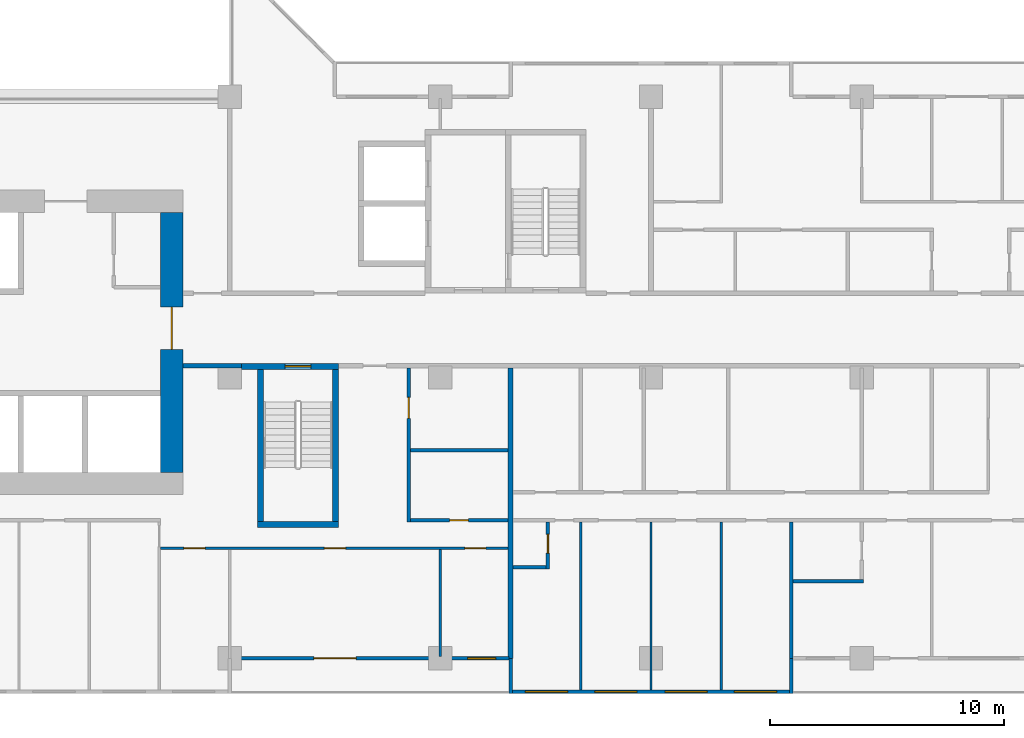
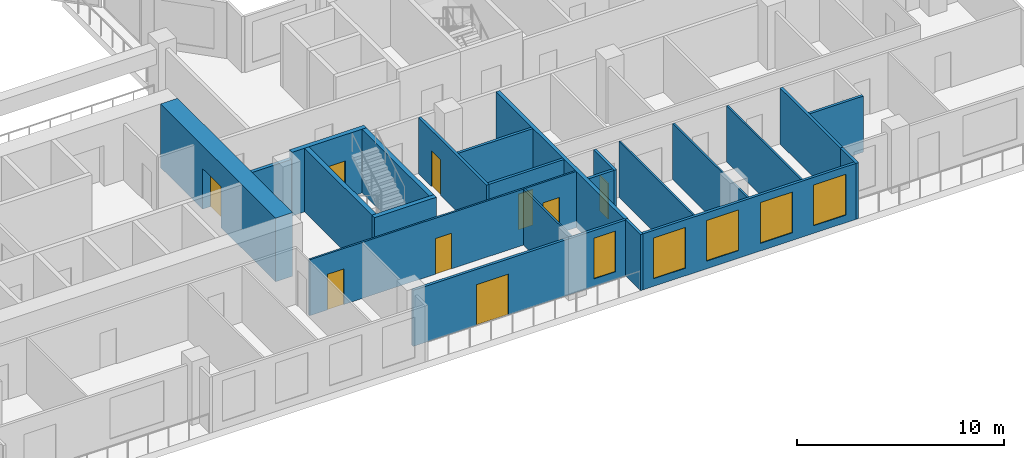
# One storey, part 6 of 15: 23 walls, 9 doors, 5 windows, 14 openings.
"""IFC4 building model written with IfcOpenShell, lengths in metres."""

from ifc_helpers import new_model, si_unit, direction, frame, frame_2d, origin, place, context, subcontext, project, spatial, rectangle, extrude, material, layer, layer_set, type_object, element, fill, save


model = new_model("IFC4")

# Units and contexts
model_context = context("Model", 3, precision=1e-05, world=origin(), true_north=direction((0.0, 1.0)))
body_context = subcontext(model_context, "Body", "Model", "MODEL_VIEW")
ifc_project = project(units=[si_unit("LENGTHUNIT", "METRE"), si_unit("AREAUNIT", "SQUARE_METRE"), si_unit("VOLUMEUNIT", "CUBIC_METRE"), si_unit("PLANEANGLEUNIT", "RADIAN"), si_unit("MASSUNIT", "GRAM", prefix="KILO")], contexts=[model_context])

# Site, building, storey
site_placement = place(None, origin())
site = spatial("IfcSite", under=ifc_project, at=site_placement, CompositionType="ELEMENT")
building_placement = place(site_placement, origin())
building = spatial("IfcBuilding", under=site, at=building_placement, Name="Chenar Terraces", CompositionType="ELEMENT")
storey_placement = place(building_placement, frame((0.0, 0.0, 136.89990234375)))
storey = spatial("IfcBuildingStorey", under=building, at=storey_placement, Name="L32", CompositionType="ELEMENT", Elevation=136.89990234375)

# Wall
ifc_material_1 = material(Name="Concrete C70/85", Category="concrete")
ifc_layer_1 = layer(ifc_material_1, 0.25)
ifc_layer_set_1 = layer_set([ifc_layer_1], Name="Concrete C70/85")
wall_type_1 = type_object("IfcWallType", Name="Core wall 250 Concrete C70/85", PredefinedType="SHEAR", material=ifc_layer_set_1)
wall_1_placement = place(storey_placement, frame((37.199951171875, 5.72509765625, 0.0), z_axis=(0.0, 0.0, 1.0), x_axis=(1.0, 0.0, 0.0)))
element("IfcWall", 1, at=wall_1_placement, inside=storey, type_object=wall_type_1, Name="Core wall ST2_S L32", PredefinedType="SHEAR", context=body_context, shape_type="SweptSolid", body=[
    extrude(rectangle(XDim=3.449951171875, YDim=0.25, at=frame_2d((1.72509765625, 0.0))), origin(), (0.0, 0.0, 1.0), 3.75),
])

# Wall, opening, door
wall_2_placement = place(storey_placement, frame((36.5, 12.47509765625, 0.0), z_axis=(0.0, 0.0, 1.0), x_axis=(1.0, 0.0, 0.0)))
wall_2 = element("IfcWall", 2, at=wall_2_placement, inside=storey, type_object=wall_type_1, Name="Core wall ST2_N L32", PredefinedType="SHEAR", context=body_context, shape_type="SweptSolid", body=[
    extrude(rectangle(XDim=4.14990234375, YDim=0.25, at=frame_2d((2.074951171875, 0.0))), origin(), (0.0, 0.0, 1.0), 3.75),
])
opening_1_placement = place(wall_2_placement, frame((1.875, 0.0, 0.0)))
opening_1 = element("IfcOpeningElement", 3, at=opening_1_placement, cuts=wall_2, Name="Opening DL32-C7", PredefinedType="OPENING", context=body_context, shape_type="SweptSolid", body=[
    extrude(rectangle(XDim=1.10009765625, YDim=2.199951171875, at=frame_2d((0.550048828125, 1.10009765625))), frame((0.0, 0.135009765625, 0.0), z_axis=(0.0, -1.0, 0.0), x_axis=(1.0, 0.0, 0.0)), (0.0, 0.0, 1.0), 0.27001953125),
])
ifc_material_2 = material(Name="Steel-framed fire-resisting door leaf", Category="steel")
door_type_1 = type_object("IfcDoorType", Name="Stair fire door FD60 1100 x 2200", OperationType="SINGLE_SWING_LEFT", PredefinedType="DOOR", material=ifc_material_2)
door_1_placement = place(opening_1_placement, frame((1.10009765625, 0.0, 0.0), z_axis=(0.0, 0.0, 1.0), x_axis=(-1.0, 0.0, 0.0)))
door_1 = element("IfcDoor", 4, at=door_1_placement, inside=storey, type_object=door_type_1, Name="Stair door DL32-C7", OperationType="SINGLE_SWING_RIGHT", OverallHeight=2.199951171875, OverallWidth=1.10009765625, PredefinedType="DOOR", context=body_context, shape_type="SweptSolid", body=[
    extrude(rectangle(XDim=1.10009765625, YDim=2.199951171875, at=frame_2d((0.550048828125, 1.10009765625))), frame((0.0, 0.02490234375, 0.0), z_axis=(0.0, -1.0, 0.0), x_axis=(1.0, 0.0, 0.0)), (0.0, 0.0, 1.0), 0.050048828125),
])
fill(opening_1, door_1)

# Walls
for number, where, z_axis, x_axis, name in (
    (5, (37.324951171875, 5.85009765625, 0.0), (0.0, 0.0, 1.0), (0.0, 1.0, 0.0), "Core wall ST2_W L32"),
    (6, (40.52490234375, 5.85009765625, 0.0), (0.0, 0.0, 1.0), (0.0, 1.0, 0.0), "Core wall ST2_E L32"),
):
    element("IfcWall", number, at=place(storey_placement, frame(where, z_axis=z_axis, x_axis=x_axis)), inside=storey, type_object=wall_type_1, Name=name, PredefinedType="SHEAR", context=body_context, shape_type="SweptSolid", body=[
        extrude(rectangle(XDim=6.5, YDim=0.25, at=frame_2d((3.25, 0.0))), origin(), (0.0, 0.0, 1.0), 3.75),
    ])

# Wall, opening, door
ifc_material_3 = material(Name="Concrete C70/85", Category="concrete")
ifc_layer_2 = layer(ifc_material_3, 0.949951171875)
ifc_layer_set_2 = layer_set([ifc_layer_2], Name="Concrete C70/85")
wall_type_2 = type_object("IfcWallType", Name="Core wall 950 Concrete C70/85", PredefinedType="SHEAR", material=ifc_layer_set_2)
wall_3_placement = place(storey_placement, frame((33.52490234375, 7.949951171875, 0.0), z_axis=(0.0, 0.0, 1.0), x_axis=(0.0, 1.0, 0.0)))
wall_3 = element("IfcWall", 7, at=wall_3_placement, inside=storey, type_object=wall_type_2, Name="Core wall E L32", PredefinedType="SHEAR", context=body_context, shape_type="SweptSolid", body=[
    extrude(rectangle(XDim=11.10009765625, YDim=0.949951171875, at=frame_2d((5.550048828125, 0.0))), origin(), (0.0, 0.0, 1.0), 3.75),
])
opening_2_placement = place(wall_3_placement, frame((5.25, 0.0, 0.0)))
opening_2 = element("IfcOpeningElement", 8, at=opening_2_placement, cuts=wall_3, Name="Opening DL32-C1", PredefinedType="OPENING", context=body_context, shape_type="SweptSolid", body=[
    extrude(rectangle(XDim=1.800048828125, YDim=2.39990234375, at=frame_2d((0.89990234375, 1.199951171875))), frame((0.0, 0.48486328125, 0.0), z_axis=(0.0, -1.0, 0.0), x_axis=(1.0, 0.0, 0.0)), (0.0, 0.0, 1.0), 0.969970703125),
])
ifc_material_4 = material(Name="Steel-framed fire-resisting door leaf", Category="steel")
door_type_2 = type_object("IfcDoorType", Name="Core entrance double fire door FD60 1800 x 2400", OperationType="DOUBLE_DOOR_SINGLE_SWING", PredefinedType="DOOR", material=ifc_material_4)
door_2_placement = place(opening_2_placement, origin())
door_2 = element("IfcDoor", 9, at=door_2_placement, inside=storey, type_object=door_type_2, Name="Core door DL32-C1", OperationType="DOUBLE_DOOR_SINGLE_SWING", OverallHeight=2.39990234375, OverallWidth=1.800048828125, PredefinedType="DOOR", context=body_context, shape_type="SweptSolid", body=[
    extrude(rectangle(XDim=1.800048828125, YDim=2.39990234375, at=frame_2d((0.89990234375, 1.199951171875))), frame((0.0, 0.02490234375, 0.0), z_axis=(0.0, -1.0, 0.0), x_axis=(1.0, 0.0, 0.0)), (0.0, 0.0, 1.0), 0.050048828125),
])
fill(opening_2, door_2)

# Wall
ifc_material_5 = material(Name="Gypsum board on steel studs with fire boards", Category="steel")
ifc_layer_3 = layer(ifc_material_5, 0.199951171875)
ifc_layer_set_3 = layer_set([ifc_layer_3], Name="Gypsum board on steel studs with fire boards")
wall_type_3 = type_object("IfcWallType", Name="Corridor wall 200", PredefinedType="PARTITIONING", material=ifc_layer_set_3)
wall_4_placement = place(storey_placement, frame((34.0, 12.5, 0.0), z_axis=(0.0, 0.0, 1.0), x_axis=(1.0, 0.0, 0.0)))
element("IfcWall", 10, at=wall_4_placement, inside=storey, type_object=wall_type_3, Name="Partition L32-062", PredefinedType="PARTITIONING", context=body_context, shape_type="SweptSolid", body=[
    extrude(rectangle(XDim=2.5009765625, YDim=0.199951171875, at=frame_2d((1.25048828125, 0.0))), origin(), (0.0, 0.0, 1.0), 3.300048828125),
])

# Wall, openings, windows
ifc_material_6 = material(Name="Aluminium framed glazing", Category="aluminium")
ifc_layer_4 = layer(ifc_material_6, 0.14990234375)
ifc_layer_set_4 = layer_set([ifc_layer_4], Name="Aluminium framed glazing")
wall_type_4 = type_object("IfcWallType", Name="Glazed flush facade wall 150", PredefinedType="SOLIDWALL", material=ifc_layer_set_4)
wall_5_placement = place(storey_placement, frame((48.074951171875, -1.425048828125, 0.0), z_axis=(0.0, 0.0, 1.0), x_axis=(1.0, 0.0, 0.0)))
wall_5 = element("IfcWall", 11, at=wall_5_placement, inside=storey, type_object=wall_type_4, Name="Glazed flush facade wall", PredefinedType="SOLIDWALL", context=body_context, shape_type="SweptSolid", body=[
    extrude(rectangle(XDim=11.85009765625, YDim=0.14990234375, at=frame_2d((5.925048828125, 0.0))), origin(), (0.0, 0.0, 1.0), 3.300048828125),
])
opening_3_placement = place(wall_5_placement, frame((0.5625, 0.0, 0.449951171875)))
opening_3 = element("IfcOpeningElement", 12, at=opening_3_placement, cuts=wall_5, Name="Opening W180x240", PredefinedType="OPENING", context=body_context, shape_type="SweptSolid", body=[
    extrude(rectangle(XDim=1.800048828125, YDim=2.39990234375, at=frame_2d((0.89990234375, 1.199951171875))), frame((0.0, 0.0849609375, 0.0), z_axis=(0.0, -1.0, 0.0), x_axis=(1.0, 0.0, 0.0)), (0.0, 0.0, 1.0), 0.169921875),
])
opening_4_placement = place(wall_5_placement, frame((3.52490234375, 0.0, 0.449951171875)))
opening_4 = element("IfcOpeningElement", 13, at=opening_4_placement, cuts=wall_5, Name="Opening W180x240", PredefinedType="OPENING", context=body_context, shape_type="SweptSolid", body=[
    extrude(rectangle(XDim=1.800048828125, YDim=2.39990234375, at=frame_2d((0.89990234375, 1.199951171875))), frame((0.0, 0.0849609375, 0.0), z_axis=(0.0, -1.0, 0.0), x_axis=(1.0, 0.0, 0.0)), (0.0, 0.0, 1.0), 0.169921875),
])
opening_5_placement = place(wall_5_placement, frame((6.52490234375, 0.0, 0.449951171875)))
opening_5 = element("IfcOpeningElement", 14, at=opening_5_placement, cuts=wall_5, Name="Opening W180x240", PredefinedType="OPENING", context=body_context, shape_type="SweptSolid", body=[
    extrude(rectangle(XDim=1.800048828125, YDim=2.39990234375, at=frame_2d((0.89990234375, 1.199951171875))), frame((0.0, 0.0849609375, 0.0), z_axis=(0.0, -1.0, 0.0), x_axis=(1.0, 0.0, 0.0)), (0.0, 0.0, 1.0), 0.169921875),
])
opening_6_placement = place(wall_5_placement, frame((9.487548828125, 0.0, 0.449951171875)))
opening_6 = element("IfcOpeningElement", 15, at=opening_6_placement, cuts=wall_5, Name="Opening W180x240", PredefinedType="OPENING", context=body_context, shape_type="SweptSolid", body=[
    extrude(rectangle(XDim=1.800048828125, YDim=2.39990234375, at=frame_2d((0.89990234375, 1.199951171875))), frame((0.0, 0.0849609375, 0.0), z_axis=(0.0, -1.0, 0.0), x_axis=(1.0, 0.0, 0.0)), (0.0, 0.0, 1.0), 0.169921875),
])
ifc_material_7 = material(Name="Low emissivity double glazing, aluminium frame", Category="aluminium")
window_type_1 = type_object("IfcWindowType", Name="Fixed light 1800 x 2400", PartitioningType="SINGLE_PANEL", PredefinedType="WINDOW", material=ifc_material_7)
window_1_placement = place(opening_3_placement, origin())
window_1 = element("IfcWindow", 16, at=window_1_placement, inside=storey, type_object=window_type_1, Name="Window", OverallHeight=2.39990234375, OverallWidth=1.800048828125, PartitioningType="SINGLE_PANEL", PredefinedType="WINDOW", context=body_context, shape_type="SweptSolid", body=[
    extrude(rectangle(XDim=1.800048828125, YDim=2.39990234375, at=frame_2d((0.89990234375, 1.199951171875))), frame((0.0, 0.030029296875, 0.0), z_axis=(0.0, -1.0, 0.0), x_axis=(1.0, 0.0, 0.0)), (0.0, 0.0, 1.0), 0.06005859375),
])
fill(opening_3, window_1)
window_2_placement = place(opening_4_placement, origin())
window_2 = element("IfcWindow", 17, at=window_2_placement, inside=storey, type_object=window_type_1, Name="Window", OverallHeight=2.39990234375, OverallWidth=1.800048828125, PartitioningType="SINGLE_PANEL", PredefinedType="WINDOW", context=body_context, shape_type="SweptSolid", body=[
    extrude(rectangle(XDim=1.800048828125, YDim=2.39990234375, at=frame_2d((0.89990234375, 1.199951171875))), frame((0.0, 0.030029296875, 0.0), z_axis=(0.0, -1.0, 0.0), x_axis=(1.0, 0.0, 0.0)), (0.0, 0.0, 1.0), 0.06005859375),
])
fill(opening_4, window_2)
window_3_placement = place(opening_5_placement, origin())
window_3 = element("IfcWindow", 18, at=window_3_placement, inside=storey, type_object=window_type_1, Name="Window", OverallHeight=2.39990234375, OverallWidth=1.800048828125, PartitioningType="SINGLE_PANEL", PredefinedType="WINDOW", context=body_context, shape_type="SweptSolid", body=[
    extrude(rectangle(XDim=1.800048828125, YDim=2.39990234375, at=frame_2d((0.89990234375, 1.199951171875))), frame((0.0, 0.030029296875, 0.0), z_axis=(0.0, -1.0, 0.0), x_axis=(1.0, 0.0, 0.0)), (0.0, 0.0, 1.0), 0.06005859375),
])
fill(opening_5, window_3)
window_4_placement = place(opening_6_placement, origin())
window_4 = element("IfcWindow", 19, at=window_4_placement, inside=storey, type_object=window_type_1, Name="Window", OverallHeight=2.39990234375, OverallWidth=1.800048828125, PartitioningType="SINGLE_PANEL", PredefinedType="WINDOW", context=body_context, shape_type="SweptSolid", body=[
    extrude(rectangle(XDim=1.800048828125, YDim=2.39990234375, at=frame_2d((0.89990234375, 1.199951171875))), frame((0.0, 0.030029296875, 0.0), z_axis=(0.0, -1.0, 0.0), x_axis=(1.0, 0.0, 0.0)), (0.0, 0.0, 1.0), 0.06005859375),
])
fill(opening_6, window_4)

# Wall, openings, window, door
ifc_material_8 = material(Name="Aluminium framed glazing", Category="aluminium")
ifc_layer_5 = layer(ifc_material_8, 0.14990234375)
ifc_layer_set_5 = layer_set([ifc_layer_5], Name="Aluminium framed glazing")
wall_type_5 = type_object("IfcWallType", Name="Glazed loggia back wall 150", PredefinedType="SOLIDWALL", material=ifc_layer_set_5)
wall_6_placement = place(storey_placement, frame((36.074951171875, 0.0, 0.0), z_axis=(0.0, 0.0, 1.0), x_axis=(1.0, 0.0, 0.0)))
wall_6 = element("IfcWall", 20, at=wall_6_placement, inside=storey, type_object=wall_type_5, Name="Glazed loggia back wall", PredefinedType="SOLIDWALL", context=body_context, shape_type="SweptSolid", body=[
    extrude(rectangle(XDim=11.85009765625, YDim=0.14990234375, at=frame_2d((5.925048828125, 0.0))), origin(), (0.0, 0.0, 1.0), 3.300048828125),
])
opening_7_placement = place(wall_6_placement, frame((3.52490234375, 0.0, 0.0)))
opening_7 = element("IfcOpeningElement", 21, at=opening_7_placement, cuts=wall_6, Name="Opening DL32-G6", PredefinedType="OPENING", context=body_context, shape_type="SweptSolid", body=[
    extrude(rectangle(XDim=1.800048828125, YDim=2.39990234375, at=frame_2d((0.89990234375, 1.199951171875))), frame((0.0, 0.0849609375, 0.0), z_axis=(0.0, -1.0, 0.0), x_axis=(1.0, 0.0, 0.0)), (0.0, 0.0, 1.0), 0.169921875),
])
opening_8_placement = place(wall_6_placement, frame((10.08740234375, 0.0, 0.449951171875)))
opening_8 = element("IfcOpeningElement", 22, at=opening_8_placement, cuts=wall_6, Name="Opening W120x240", PredefinedType="OPENING", context=body_context, shape_type="SweptSolid", body=[
    extrude(rectangle(XDim=1.199951171875, YDim=2.39990234375, at=frame_2d((0.60009765625, 1.199951171875))), frame((0.0, 0.0849609375, 0.0), z_axis=(0.0, -1.0, 0.0), x_axis=(1.0, 0.0, 0.0)), (0.0, 0.0, 1.0), 0.169921875),
])
ifc_material_9 = material(Name="Low emissivity double glazing, aluminium frame", Category="aluminium")
window_type_2 = type_object("IfcWindowType", Name="Fixed light 1200 x 2400", PartitioningType="SINGLE_PANEL", PredefinedType="WINDOW", material=ifc_material_9)
window_5_placement = place(opening_8_placement, origin())
window_5 = element("IfcWindow", 23, at=window_5_placement, inside=storey, type_object=window_type_2, Name="Window", OverallHeight=2.39990234375, OverallWidth=1.199951171875, PartitioningType="SINGLE_PANEL", PredefinedType="WINDOW", context=body_context, shape_type="SweptSolid", body=[
    extrude(rectangle(XDim=1.199951171875, YDim=2.39990234375, at=frame_2d((0.60009765625, 1.199951171875))), frame((0.0, 0.030029296875, 0.0), z_axis=(0.0, -1.0, 0.0), x_axis=(1.0, 0.0, 0.0)), (0.0, 0.0, 1.0), 0.06005859375),
])
fill(opening_8, window_5)
ifc_material_10 = material(Name="Low emissivity double glazing, aluminium frame", Category="aluminium")
door_type_3 = type_object("IfcDoorType", Name="Loggia glazed double door 1800 x 2400", OperationType="DOUBLE_DOOR_SINGLE_SWING", PredefinedType="DOOR", material=ifc_material_10)
door_3_placement = place(opening_7_placement, frame((1.800048828125, 0.0, 0.0), z_axis=(0.0, 0.0, 1.0), x_axis=(-1.0, 0.0, 0.0)))
door_3 = element("IfcDoor", 24, at=door_3_placement, inside=storey, type_object=door_type_3, Name="Loggia glazed door", OperationType="DOUBLE_DOOR_SINGLE_SWING", OverallHeight=2.39990234375, OverallWidth=1.800048828125, PredefinedType="DOOR", context=body_context, shape_type="SweptSolid", body=[
    extrude(rectangle(XDim=1.800048828125, YDim=2.39990234375, at=frame_2d((0.89990234375, 1.199951171875))), frame((0.0, 0.02490234375, 0.0), z_axis=(0.0, -1.0, 0.0), x_axis=(1.0, 0.0, 0.0)), (0.0, 0.0, 1.0), 0.050048828125),
])
fill(opening_7, door_3)

# Wall, openings, doors
ifc_material_11 = material(Name="Gypsum board on steel studs", Category="steel")
ifc_layer_6 = layer(ifc_material_11, 0.10009765625)
ifc_layer_set_6 = layer_set([ifc_layer_6], Name="Gypsum board on steel studs")
wall_type_6 = type_object("IfcWallType", Name="Gypsum partition 100", PredefinedType="PARTITIONING", material=ifc_layer_set_6)
wall_7_placement = place(storey_placement, frame((33.050048828125, 4.699951171875, 0.0), z_axis=(0.0, 0.0, 1.0), x_axis=(1.0, 0.0, 0.0)))
wall_7 = element("IfcWall", 25, at=wall_7_placement, inside=storey, type_object=wall_type_6, Name="Partition L32-061", PredefinedType="PARTITIONING", context=body_context, shape_type="SweptSolid", body=[
    extrude(rectangle(XDim=14.849853515625, YDim=0.10009765625, at=frame_2d((7.4248046875, 0.0))), origin(), (0.0, 0.0, 1.0), 3.300048828125),
])
opening_9_placement = place(wall_7_placement, frame((1.0, 0.0, 0.0)))
opening_9 = element("IfcOpeningElement", 26, at=opening_9_placement, cuts=wall_7, Name="Opening DL32-58", PredefinedType="OPENING", context=body_context, shape_type="SweptSolid", body=[
    extrude(rectangle(XDim=0.89990234375, YDim=2.10009765625, at=frame_2d((0.449951171875, 1.050048828125))), frame((0.0, 0.06005859375, 0.0), z_axis=(0.0, -1.0, 0.0), x_axis=(1.0, 0.0, 0.0)), (0.0, 0.0, 1.0), 0.1201171875),
])
opening_10_placement = place(wall_7_placement, frame((13.0, 0.0, 0.0)))
opening_10 = element("IfcOpeningElement", 27, at=opening_10_placement, cuts=wall_7, Name="Opening DL32-59", PredefinedType="OPENING", context=body_context, shape_type="SweptSolid", body=[
    extrude(rectangle(XDim=0.89990234375, YDim=2.10009765625, at=frame_2d((0.449951171875, 1.050048828125))), frame((0.0, 0.06005859375, 0.0), z_axis=(0.0, -1.0, 0.0), x_axis=(1.0, 0.0, 0.0)), (0.0, 0.0, 1.0), 0.1201171875),
])
opening_11_placement = place(wall_7_placement, frame((7.0, 0.0, 0.0)))
opening_11 = element("IfcOpeningElement", 28, at=opening_11_placement, cuts=wall_7, Name="Opening DL32-67", PredefinedType="OPENING", context=body_context, shape_type="SweptSolid", body=[
    extrude(rectangle(XDim=0.89990234375, YDim=2.10009765625, at=frame_2d((0.449951171875, 1.050048828125))), frame((0.0, 0.06005859375, 0.0), z_axis=(0.0, -1.0, 0.0), x_axis=(1.0, 0.0, 0.0)), (0.0, 0.0, 1.0), 0.1201171875),
])
ifc_material_12 = material(Name="Veneered timber door leaf", Category="wood")
door_type_4 = type_object("IfcDoorType", Name="Door 900 x 2100", OperationType="SINGLE_SWING_LEFT", PredefinedType="DOOR", material=ifc_material_12)
door_4_placement = place(opening_9_placement, frame((0.89990234375, 0.0, 0.0), z_axis=(0.0, 0.0, 1.0), x_axis=(-1.0, 0.0, 0.0)))
door_4 = element("IfcDoor", 29, at=door_4_placement, inside=storey, type_object=door_type_4, Name="Door DL32-58", OperationType="SINGLE_SWING_LEFT", OverallHeight=2.10009765625, OverallWidth=0.89990234375, PredefinedType="DOOR", context=body_context, shape_type="SweptSolid", body=[
    extrude(rectangle(XDim=0.89990234375, YDim=2.10009765625, at=frame_2d((0.449951171875, 1.050048828125))), frame((0.0, 0.02490234375, 0.0), z_axis=(0.0, -1.0, 0.0), x_axis=(1.0, 0.0, 0.0)), (0.0, 0.0, 1.0), 0.050048828125),
])
fill(opening_9, door_4)
door_5_placement = place(opening_10_placement, frame((0.89990234375, 0.0, 0.0), z_axis=(0.0, 0.0, 1.0), x_axis=(-1.0, 0.0, 0.0)))
door_5 = element("IfcDoor", 30, at=door_5_placement, inside=storey, type_object=door_type_4, Name="Door DL32-59", OperationType="SINGLE_SWING_LEFT", OverallHeight=2.10009765625, OverallWidth=0.89990234375, PredefinedType="DOOR", context=body_context, shape_type="SweptSolid", body=[
    extrude(rectangle(XDim=0.89990234375, YDim=2.10009765625, at=frame_2d((0.449951171875, 1.050048828125))), frame((0.0, 0.02490234375, 0.0), z_axis=(0.0, -1.0, 0.0), x_axis=(1.0, 0.0, 0.0)), (0.0, 0.0, 1.0), 0.050048828125),
])
fill(opening_10, door_5)
door_6_placement = place(opening_11_placement, frame((0.89990234375, 0.0, 0.0), z_axis=(0.0, 0.0, 1.0), x_axis=(-1.0, 0.0, 0.0)))
door_6 = element("IfcDoor", 31, at=door_6_placement, inside=storey, type_object=door_type_4, Name="Door DL32-67", OperationType="SINGLE_SWING_LEFT", OverallHeight=2.10009765625, OverallWidth=0.89990234375, PredefinedType="DOOR", context=body_context, shape_type="SweptSolid", body=[
    extrude(rectangle(XDim=0.89990234375, YDim=2.10009765625, at=frame_2d((0.449951171875, 1.050048828125))), frame((0.0, 0.02490234375, 0.0), z_axis=(0.0, -1.0, 0.0), x_axis=(1.0, 0.0, 0.0)), (0.0, 0.0, 1.0), 0.050048828125),
])
fill(opening_11, door_6)

# Walls
wall_8_placement = place(storey_placement, frame((45.0, 0.073974609375, 0.0), z_axis=(0.0, 0.0, 1.0), x_axis=(0.0, 1.0, 0.0)))
element("IfcWall", 32, at=wall_8_placement, inside=storey, type_object=wall_type_6, Name="Partition L32-070", PredefinedType="PARTITIONING", context=body_context, shape_type="SweptSolid", body=[
    extrude(rectangle(XDim=4.575927734375, YDim=0.10009765625, at=frame_2d((2.2880859375, 0.0))), origin(), (0.0, 0.0, 1.0), 3.300048828125),
])
for number, where, z_axis, x_axis, name in (
    (33, (51.0, -1.35107421875, 0.0), (0.0, 0.0, 1.0), (0.0, 1.0, 0.0), "Partition L32-077"),
    (34, (54.0, -1.35107421875, 0.0), (0.0, 0.0, 1.0), (0.0, 1.0, 0.0), "Partition L32-081"),
    (35, (57.0, -1.35107421875, 0.0), (0.0, 0.0, 1.0), (0.0, 1.0, 0.0), "Partition L32-085"),
):
    element("IfcWall", number, at=place(storey_placement, frame(where, z_axis=z_axis, x_axis=x_axis)), inside=storey, type_object=wall_type_6, Name=name, PredefinedType="PARTITIONING", context=body_context, shape_type="SweptSolid", body=[
        extrude(rectangle(XDim=7.176025390625, YDim=0.10009765625, at=frame_2d((3.587890625, 0.0))), origin(), (0.0, 0.0, 1.0), 3.300048828125),
    ])
ifc_material_13 = material(Name="Terracotta cladding on insulated backing", Category="masonry")
ifc_layer_7 = layer(ifc_material_13, 0.14990234375)
ifc_layer_set_7 = layer_set([ifc_layer_7], Name="Terracotta cladding on insulated backing")
wall_type_7 = type_object("IfcWallType", Name="Loggia return wall 150", PredefinedType="SOLIDWALL", material=ifc_layer_set_7)
for number, where, z_axis, x_axis, name in (
    (36, (48.0, -1.5, 0.0), (0.0, 0.0, 1.0), (0.0, 1.0, 0.0), "Loggia return wall"),
    (37, (60.0, -1.5, 0.0), (0.0, 0.0, 1.0), (0.0, 1.0, 0.0), "Loggia return wall"),
):
    element("IfcWall", number, at=place(storey_placement, frame(where, z_axis=z_axis, x_axis=x_axis)), inside=storey, type_object=wall_type_7, Name=name, PredefinedType="SOLIDWALL", context=body_context, shape_type="SweptSolid", body=[
        extrude(rectangle(XDim=1.5, YDim=0.14990234375, at=frame_2d((0.75, 0.0))), origin(), (0.0, 0.0, 1.0), 3.300048828125),
    ])
ifc_material_14 = material(Name="Twin gypsum board on steel studs with mineral wool", Category="steel")
ifc_layer_8 = layer(ifc_material_14, 0.199951171875)
ifc_layer_set_8 = layer_set([ifc_layer_8], Name="Twin gypsum board on steel studs with mineral wool")
wall_type_8 = type_object("IfcWallType", Name="Unit demising wall 200", PredefinedType="PARTITIONING", material=ifc_layer_set_8)
wall_9_placement = place(storey_placement, frame((48.0, 0.0, 0.0), z_axis=(0.0, 0.0, 1.0), x_axis=(0.0, 1.0, 0.0)))
element("IfcWall", 38, at=wall_9_placement, inside=storey, type_object=wall_type_8, Name="Partition L32-072", PredefinedType="PARTITIONING", context=body_context, shape_type="SweptSolid", body=[
    extrude(rectangle(XDim=12.39990234375, YDim=0.199951171875, at=frame_2d((6.199951171875, 0.0))), origin(), (0.0, 0.0, 1.0), 3.300048828125),
])

# Wall, opening, door
ifc_material_15 = material(Name="Moisture-resistant gypsum board on steel studs", Category="steel")
ifc_layer_9 = layer(ifc_material_15, 0.14990234375)
ifc_layer_set_9 = layer_set([ifc_layer_9], Name="Moisture-resistant gypsum board on steel studs")
wall_type_9 = type_object("IfcWallType", Name="Wet-room partition 150", PredefinedType="PARTITIONING", material=ifc_layer_set_9)
wall_10_placement = place(storey_placement, frame((43.64990234375, 5.824951171875, 0.0), z_axis=(0.0, 0.0, 1.0), x_axis=(0.0, 1.0, 0.0)))
wall_10 = element("IfcWall", 39, at=wall_10_placement, inside=storey, type_object=wall_type_9, Name="Partition L32-067", PredefinedType="PARTITIONING", context=body_context, shape_type="SweptSolid", body=[
    extrude(rectangle(XDim=6.574951171875, YDim=0.14990234375, at=frame_2d((3.28759765625, 0.0))), origin(), (0.0, 0.0, 1.0), 3.300048828125),
])
opening_12_placement = place(wall_10_placement, frame((4.425048828125, 0.0, 0.0)))
opening_12 = element("IfcOpeningElement", 40, at=opening_12_placement, cuts=wall_10, Name="Opening DL32-65", PredefinedType="OPENING", context=body_context, shape_type="SweptSolid", body=[
    extrude(rectangle(XDim=0.89990234375, YDim=2.10009765625, at=frame_2d((0.449951171875, 1.050048828125))), frame((0.0, 0.0849609375, 0.0), z_axis=(0.0, -1.0, 0.0), x_axis=(1.0, 0.0, 0.0)), (0.0, 0.0, 1.0), 0.169921875),
])
door_7_placement = place(opening_12_placement, frame((0.89990234375, 0.0, 0.0), z_axis=(0.0, 0.0, 1.0), x_axis=(-1.0, 0.0, 0.0)))
door_7 = element("IfcDoor", 41, at=door_7_placement, inside=storey, type_object=door_type_4, Name="Door DL32-65", OperationType="SINGLE_SWING_LEFT", OverallHeight=2.10009765625, OverallWidth=0.89990234375, PredefinedType="DOOR", context=body_context, shape_type="SweptSolid", body=[
    extrude(rectangle(XDim=0.89990234375, YDim=2.10009765625, at=frame_2d((0.449951171875, 1.050048828125))), frame((0.0, 0.02490234375, 0.0), z_axis=(0.0, -1.0, 0.0), x_axis=(1.0, 0.0, 0.0)), (0.0, 0.0, 1.0), 0.050048828125),
])
fill(opening_12, door_7)

wall_11_placement = place(storey_placement, frame((43.72509765625, 5.89990234375, 0.0), z_axis=(0.0, 0.0, 1.0), x_axis=(1.0, 0.0, 0.0)))
wall_11 = element("IfcWall", 42, at=wall_11_placement, inside=storey, type_object=wall_type_9, Name="Partition L32-068", PredefinedType="PARTITIONING", context=body_context, shape_type="SweptSolid", body=[
    extrude(rectangle(XDim=4.1748046875, YDim=0.14990234375, at=frame_2d((2.08740234375, 0.0))), origin(), (0.0, 0.0, 1.0), 3.300048828125),
])
opening_13_placement = place(wall_11_placement, frame((1.675048828125, 0.0, 0.0)))
opening_13 = element("IfcOpeningElement", 43, at=opening_13_placement, cuts=wall_11, Name="Opening DL32-55", PredefinedType="OPENING", context=body_context, shape_type="SweptSolid", body=[
    extrude(rectangle(XDim=0.800048828125, YDim=2.10009765625, at=frame_2d((0.39990234375, 1.050048828125))), frame((0.0, 0.0849609375, 0.0), z_axis=(0.0, -1.0, 0.0), x_axis=(1.0, 0.0, 0.0)), (0.0, 0.0, 1.0), 0.169921875),
])
ifc_material_16 = material(Name="Veneered timber door leaf", Category="wood")
door_type_5 = type_object("IfcDoorType", Name="Door 800 x 2100", OperationType="SINGLE_SWING_LEFT", PredefinedType="DOOR", material=ifc_material_16)
door_8_placement = place(opening_13_placement, origin())
door_8 = element("IfcDoor", 44, at=door_8_placement, inside=storey, type_object=door_type_5, Name="Door DL32-55", OperationType="SINGLE_SWING_LEFT", OverallHeight=2.10009765625, OverallWidth=0.800048828125, PredefinedType="DOOR", context=body_context, shape_type="SweptSolid", body=[
    extrude(rectangle(XDim=0.800048828125, YDim=2.10009765625, at=frame_2d((0.39990234375, 1.050048828125))), frame((0.0, 0.02490234375, 0.0), z_axis=(0.0, -1.0, 0.0), x_axis=(1.0, 0.0, 0.0)), (0.0, 0.0, 1.0), 0.050048828125),
])
fill(opening_13, door_8)

# Walls
wall_12_placement = place(storey_placement, frame((43.72509765625, 8.89990234375, 0.0), z_axis=(0.0, 0.0, 1.0), x_axis=(1.0, 0.0, 0.0)))
element("IfcWall", 45, at=wall_12_placement, inside=storey, type_object=wall_type_9, Name="Partition L32-069", PredefinedType="PARTITIONING", context=body_context, shape_type="SweptSolid", body=[
    extrude(rectangle(XDim=4.1748046875, YDim=0.14990234375, at=frame_2d((2.08740234375, 0.0))), origin(), (0.0, 0.0, 1.0), 3.300048828125),
])
wall_13_placement = place(storey_placement, frame((48.10009765625, 3.89990234375, 0.0), z_axis=(0.0, 0.0, 1.0), x_axis=(1.0, 0.0, 0.0)))
element("IfcWall", 46, at=wall_13_placement, inside=storey, type_object=wall_type_9, Name="Partition L32-073", PredefinedType="PARTITIONING", context=body_context, shape_type="SweptSolid", body=[
    extrude(rectangle(XDim=1.4248046875, YDim=0.14990234375, at=frame_2d((0.71240234375, 0.0))), origin(), (0.0, 0.0, 1.0), 3.300048828125),
])

# Wall, opening, door
wall_14_placement = place(storey_placement, frame((49.60009765625, 3.824951171875, 0.0), z_axis=(0.0, 0.0, 1.0), x_axis=(0.0, 1.0, 0.0)))
wall_14 = element("IfcWall", 47, at=wall_14_placement, inside=storey, type_object=wall_type_9, Name="Partition L32-076", PredefinedType="PARTITIONING", context=body_context, shape_type="SweptSolid", body=[
    extrude(rectangle(XDim=2.0, YDim=0.14990234375, at=frame_2d((1.0, 0.0))), origin(), (0.0, 0.0, 1.0), 3.300048828125),
])
opening_14_placement = place(wall_14_placement, frame((0.675048828125, 0.0, 0.0)))
opening_14 = element("IfcOpeningElement", 48, at=opening_14_placement, cuts=wall_14, Name="Opening DL32-23", PredefinedType="OPENING", context=body_context, shape_type="SweptSolid", body=[
    extrude(rectangle(XDim=0.800048828125, YDim=2.10009765625, at=frame_2d((0.39990234375, 1.050048828125))), frame((0.0, 0.0849609375, 0.0), z_axis=(0.0, -1.0, 0.0), x_axis=(1.0, 0.0, 0.0)), (0.0, 0.0, 1.0), 0.169921875),
])
door_9_placement = place(opening_14_placement, origin())
door_9 = element("IfcDoor", 49, at=door_9_placement, inside=storey, type_object=door_type_5, Name="Door DL32-23", OperationType="SINGLE_SWING_LEFT", OverallHeight=2.10009765625, OverallWidth=0.800048828125, PredefinedType="DOOR", context=body_context, shape_type="SweptSolid", body=[
    extrude(rectangle(XDim=0.800048828125, YDim=2.10009765625, at=frame_2d((0.39990234375, 1.050048828125))), frame((0.0, 0.02490234375, 0.0), z_axis=(0.0, -1.0, 0.0), x_axis=(1.0, 0.0, 0.0)), (0.0, 0.0, 1.0), 0.050048828125),
])
fill(opening_14, door_9)

# Walls
wall_15_placement = place(storey_placement, frame((60.0, 0.0, 0.0), z_axis=(0.0, 0.0, 1.0), x_axis=(0.0, 1.0, 0.0)))
element("IfcWall", 50, at=wall_15_placement, inside=storey, type_object=wall_type_9, Name="Partition L32-089", PredefinedType="PARTITIONING", context=body_context, shape_type="SweptSolid", body=[
    extrude(rectangle(XDim=5.824951171875, YDim=0.14990234375, at=frame_2d((2.91259765625, 0.0))), origin(), (0.0, 0.0, 1.0), 3.300048828125),
])
wall_16_placement = place(storey_placement, frame((60.074951171875, 3.300048828125, 0.0), z_axis=(0.0, 0.0, 1.0), x_axis=(1.0, 0.0, 0.0)))
element("IfcWall", 51, at=wall_16_placement, inside=storey, type_object=wall_type_9, Name="Partition L32-090", PredefinedType="PARTITIONING", context=body_context, shape_type="SweptSolid", body=[
    extrude(rectangle(XDim=3.0, YDim=0.14990234375, at=frame_2d((1.5, 0.0))), origin(), (0.0, 0.0, 1.0), 3.300048828125),
])

save(model, "model.ifc")
